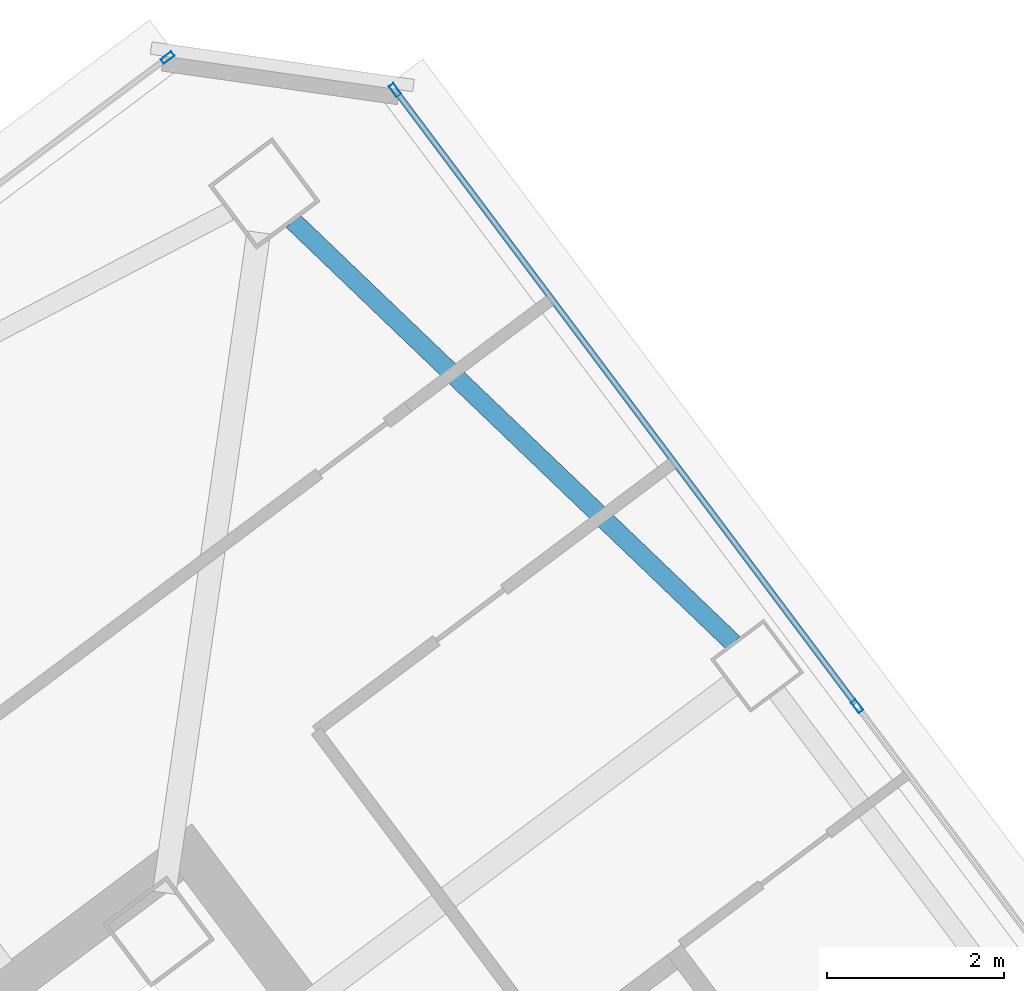
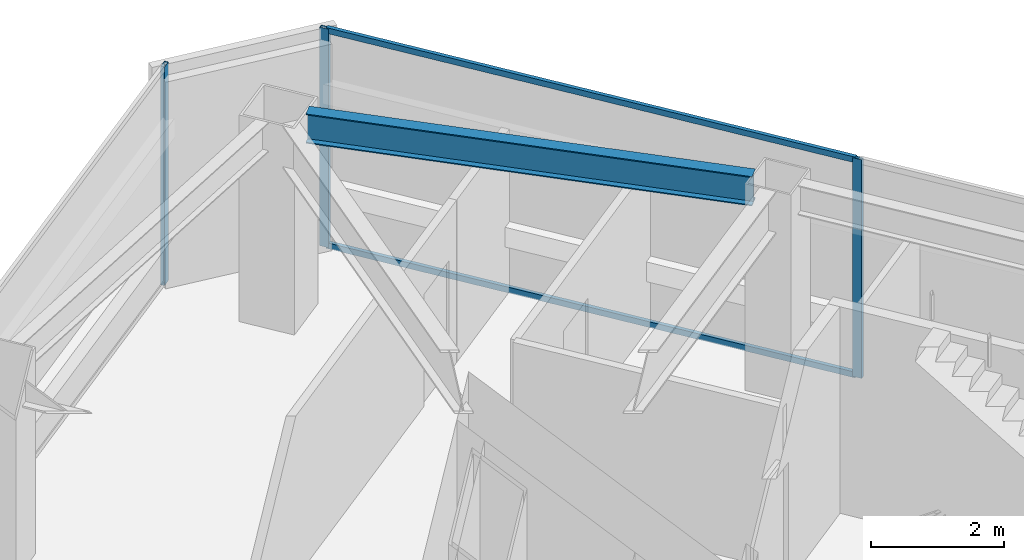
# One storey, part 39 of 53: 5 members, 1 beam, 2 elements without a shape of their own.
"""IFC4 building model written with IfcOpenShell, lengths in metres."""

import ifcopenshell
import ifcopenshell.guid

model = None  # the IFC model being written
_history = None  # IfcOwnerHistory: only IFC2X3 demands one
_inside = {}  # id of a spatial element -> (the spatial element, [elements in it])
_under = {}  # id of a project, library or spatial element -> (it, [spatial elements below it])
_declared = {}  # id of a project -> (the project, [libraries it declares])
_typed = {}  # id of a type object -> (the type object, [elements of that type])
_made_of = {}  # id of a material, layer set ... -> (it, [elements and type objects made of it])


def new_model(schema):
    """Start an empty IFC model of exactly this schema.

    Asked for "IFC4X3", IfcOpenShell would pick the latest addendum, in which some entities
    have other attributes; the version numbers below select the first issue.
    IFC2X3 requires an IfcOwnerHistory on every rooted entity: one is made here for all.
    """
    global model, _history
    if schema == "IFC4X3":
        model = ifcopenshell.file(schema_version=(4, 3, 0, 0))
    else:
        model = ifcopenshell.file(schema=schema)
    _inside.clear()
    _under.clear()
    _declared.clear()
    _typed.clear()
    _made_of.clear()
    _history = None
    if model.schema == "IFC2X3":
        org = make("IfcOrganization", Name="unknown")
        user = make(
            "IfcPersonAndOrganization",
            ThePerson=make("IfcPerson", FamilyName="unknown"),
            TheOrganization=org,
        )
        app = make(
            "IfcApplication",
            ApplicationDeveloper=org,
            Version="unknown",
            ApplicationFullName="unknown",
            ApplicationIdentifier="unknown",
        )
        _history = make(
            "IfcOwnerHistory",
            OwningUser=user,
            OwningApplication=app,
            ChangeAction="ADDED",
            CreationDate=0,
        )
    return model


def make(cls, **values):
    """One entity of the class cls with the attributes given. An attribute that is None is left unset."""
    return model.create_entity(
        cls, **{name: value for name, value in values.items() if value is not None}
    )


def rooted(cls, **values):
    """An entity with a GlobalId (a new one), such as an element, a storey or a relation."""
    return make(cls, GlobalId=ifcopenshell.guid.new(), OwnerHistory=_history, **values)


def si_unit(unit_type, name, prefix=None):
    """IfcSIUnit, for example si_unit("LENGTHUNIT", "METRE", prefix="MILLI")."""
    return make("IfcSIUnit", UnitType=unit_type, Prefix=prefix, Name=name)


def assignment(units):
    """IfcUnitAssignment: the units of a project."""
    return None if units is None else make("IfcUnitAssignment", Units=units)


def point(xyz):
    """IfcCartesianPoint."""
    return None if xyz is None else make("IfcCartesianPoint", Coordinates=xyz)


def direction(xyz):
    """IfcDirection."""
    return None if xyz is None else make("IfcDirection", DirectionRatios=xyz)


def frame(location, z_axis=None, x_axis=None):
    """IfcAxis2Placement3D, a coordinate frame: its origin and axes. An axis left out is left unset."""
    return make(
        "IfcAxis2Placement3D",
        Location=point(location),
        Axis=direction(z_axis),
        RefDirection=direction(x_axis),
    )


def frame_2d(location, x_axis=None):
    """IfcAxis2Placement2D, a coordinate frame in the plane: its origin and x axis."""
    return make(
        "IfcAxis2Placement2D", Location=point(location), RefDirection=direction(x_axis)
    )


def origin():
    """The frame at (0, 0, 0) with its axes left unset."""
    return frame((0.0, 0.0, 0.0))


def origin_2d():
    """The frame at (0, 0) in the plane with its x axis left unset."""
    return frame_2d((0.0, 0.0))


def place(relative_to, where):
    """IfcLocalPlacement: puts the frame where relative to a parent placement (None: the world)."""
    return make(
        "IfcLocalPlacement", PlacementRelTo=relative_to, RelativePlacement=where
    )


def context(
    kind, dimensions, precision=None, world=None, true_north=None, identifier=None
):
    """IfcGeometricRepresentationContext, for example the 3D "Model" context."""
    return make(
        "IfcGeometricRepresentationContext",
        ContextIdentifier=identifier,
        ContextType=kind,
        CoordinateSpaceDimension=dimensions,
        Precision=precision,
        WorldCoordinateSystem=world,
        TrueNorth=true_north,
    )


def subcontext(parent, identifier, kind, view, scale=None):
    """IfcGeometricRepresentationSubContext, for example "Body" below "Model"."""
    return make(
        "IfcGeometricRepresentationSubContext",
        ContextIdentifier=identifier,
        ContextType=kind,
        ParentContext=parent,
        TargetScale=scale,
        TargetView=view,
    )


def project(units=None, contexts=None):
    """IfcProject with its units and contexts."""
    return rooted(
        "IfcProject",
        Name="project",
        RepresentationContexts=contexts,
        UnitsInContext=assignment(units),
    )


def spatial(cls, under=None, at=None, **own):
    """A site, building, storey or space (cls), placed at a placement, below another one or the project."""
    s = rooted(cls, ObjectPlacement=at, **own)
    if under is not None:
        _under.setdefault(under.id(), (under, []))[1].append(s)
    return s


def profile(cls, at=None, kind="AREA", **sizes):
    """A parametric profile (cls). Its sizes go by their IFC names, for example OverallWidth=200.0."""
    return make(cls, ProfileType=kind, Position=at, **sizes)


def hollow_rectangle(**sizes):
    """IfcRectangleHollowProfileDef."""
    return profile("IfcRectangleHollowProfileDef", **sizes)


def i_section(**sizes):
    """IfcIShapeProfileDef."""
    return profile("IfcIShapeProfileDef", **sizes)


def extrude(swept, where, along, depth):
    """IfcExtrudedAreaSolid: the profile swept, set in the frame where, extruded along a direction by depth."""
    return make(
        "IfcExtrudedAreaSolid",
        SweptArea=swept,
        Position=where,
        ExtrudedDirection=direction(along),
        Depth=depth,
    )


def shape(context_of_items, identifier, shape_type, items):
    """IfcShapeRepresentation: the items that make up one representation, for example the "Body"."""
    return make(
        "IfcShapeRepresentation",
        ContextOfItems=context_of_items,
        RepresentationIdentifier=identifier,
        RepresentationType=shape_type,
        Items=items,
    )


def material(Name=None, Category=None):
    """IfcMaterial."""
    return make("IfcMaterial", Name=Name, Category=Category)


def material_profile(
    of_material, cross_section, Name=None, Category=None, Priority=None
):
    """IfcMaterialProfile: a cross section and its material."""
    return make(
        "IfcMaterialProfile",
        Name=Name,
        Material=of_material,
        Profile=cross_section,
        Priority=Priority,
        Category=Category,
    )


def profile_set(profiles, Name=None, composite=None):
    """IfcMaterialProfileSet."""
    return make(
        "IfcMaterialProfileSet",
        Name=Name,
        MaterialProfiles=profiles,
        CompositeProfile=composite,
    )


def made_of(thing, what):
    """Note that an element or type object is made of a material, layer set ...; save() writes the relation."""
    if what is not None:
        _made_of.setdefault(what.id(), (what, []))[1].append(thing)
    return thing


def type_object(cls, material=None, **own):
    """A type object (cls), such as IfcWallType, which elements share."""
    return made_of(rooted(cls, **own), material)


def element(
    cls,
    number,
    at=None,
    inside=None,
    cuts=None,
    type_object=None,
    material=None,
    context=None,
    identifier="Body",
    shape_type=None,
    held_by="IfcProductDefinitionShape",
    body=None,
    shapes=None,
    **own,
):
    """One element of the class cls, such as IfcWall. Its Tag is "e" and its number.

    at: its placement. inside: the storey or other place that contains it. cuts: it is an
    opening in that element (IfcRelVoidsElement). A single representation is given by context,
    identifier, shape_type and body (its items); several are given by shapes. held_by: the class
    of the entity that holds the representations. save() writes the other relations.
    """
    e = rooted(cls, Tag="e%d" % number, ObjectPlacement=at, **own)
    if body is not None:
        shapes = [shape(context, identifier, shape_type, body)]
    if shapes is not None:
        e.Representation = make(held_by, Representations=shapes)
    if inside is not None:
        _inside.setdefault(inside.id(), (inside, []))[1].append(e)
    if cuts is not None:
        rooted(
            "IfcRelVoidsElement", RelatingBuildingElement=cuts, RelatedOpeningElement=e
        )
    if type_object is not None:
        _typed.setdefault(type_object.id(), (type_object, []))[1].append(e)
    return made_of(e, material)


def aggregate(whole, parts):
    """IfcRelAggregates: a whole, such as a stair, and the parts it consists of."""
    return rooted("IfcRelAggregates", RelatingObject=whole, RelatedObjects=parts)


def save(model, path):
    """Write the relations noted so far, then the file.

    IfcRelAggregates (storeys below a building ...), IfcRelContainedInSpatialStructure (elements
    in a storey), IfcRelDefinesByType, IfcRelAssociatesMaterial and IfcRelDeclares: one each for
    every whole, place, type object, material and project.
    """
    for whole, parts in _under.values():
        aggregate(whole, parts)
    for where, things in _inside.values():
        rooted(
            "IfcRelContainedInSpatialStructure",
            RelatedElements=things,
            RelatingStructure=where,
        )
    for kind, things in _typed.values():
        rooted("IfcRelDefinesByType", RelatedObjects=things, RelatingType=kind)
    for what, things in _made_of.values():
        rooted("IfcRelAssociatesMaterial", RelatedObjects=things, RelatingMaterial=what)
    for by, libraries in _declared.values():
        rooted("IfcRelDeclares", RelatingContext=by, RelatedDefinitions=libraries)
    model.write(path)


model = new_model("IFC4")

# Units and contexts
model_context = context("Model", 3, precision=1e-05, world=origin(), true_north=direction((0.0, 1.0)))
body_context = subcontext(model_context, "Body", "Model", "MODEL_VIEW")
ifc_project = project(units=[si_unit("LENGTHUNIT", "METRE"), si_unit("AREAUNIT", "SQUARE_METRE"), si_unit("VOLUMEUNIT", "CUBIC_METRE"), si_unit("PLANEANGLEUNIT", "RADIAN"), si_unit("MASSUNIT", "GRAM", prefix="KILO")], contexts=[model_context])

# Site, building, storey
site_placement = place(None, origin())
site = spatial("IfcSite", under=ifc_project, at=site_placement, CompositionType="ELEMENT")
building_placement = place(site_placement, origin())
building = spatial("IfcBuilding", under=site, at=building_placement, Name="Tashvorn Skyway Center", CompositionType="ELEMENT")
storey_placement = place(building_placement, frame((0.0, 0.0, 255.39990234375)))
storey = spatial("IfcBuildingStorey", under=building, at=storey_placement, Name="L69", CompositionType="ELEMENT", Elevation=255.39990234375)

# Beam
ifc_material_1 = material(Name="Steel ASTM A992 Grade 50", Category="steel")
ifc_material_profile_1 = material_profile(ifc_material_1, i_section(OverallWidth=0.2109375, OverallDepth=0.5390625, WebThickness=0.01171875, FlangeThickness=0.018798828125, at=origin_2d()), Name="W21X73")
ifc_profile_set_1 = profile_set([ifc_material_profile_1], Name="Steel ASTM A992 Grade 50")
beam_type = type_object("IfcBeamType", Name="BM-SPANDREL-W21X73", PredefinedType="SPANDREL", material=ifc_profile_set_1)
beam_placement = place(storey_placement, frame((121.892822265625, 45.1259765625, 3.510498046875), z_axis=(-0.721873091786, 0.692025461493, 0.0), x_axis=(-0.692025461493, -0.721873091786, 0.0)))
element("IfcBeam", 1, at=beam_placement, inside=storey, type_object=beam_type, Name="Tower 2 L69 Spandrel Beam 06", PredefinedType="SPANDREL", context=body_context, shape_type="SweptSolid", body=[
    extrude(i_section(OverallWidth=0.2109375, OverallDepth=0.5390625, WebThickness=0.01171875, FlangeThickness=0.018798828125, at=origin_2d()), origin(), (0.0, 0.0, 1.0), 6.88720703125),
])

# Curtain wall, member
ifc_material_2 = material(Name="Thermally broken bronze-anodized aluminium 6063-T6", Category="aluminium")
curtain_wall_type = type_object("IfcCurtainWallType", Name="CW-CW-SKY", PredefinedType="NOTDEFINED", material=ifc_material_2)
curtain_wall_1_placement = place(storey_placement, origin())
curtain_wall_1 = element("IfcCurtainWall", 2, at=curtain_wall_1_placement, inside=storey, type_object=curtain_wall_type, Name="Tower 2 L69 North Curtain Wall B", PredefinedType="NOTDEFINED")
ifc_material_profile_2 = material_profile(ifc_material_2, hollow_rectangle(XDim=0.06494140625, YDim=0.14990234375, WallThickness=0.00390625, at=origin_2d()), Name="ALU-MULL-65x150")
ifc_profile_set_2 = profile_set([ifc_material_profile_2], Name="Thermally broken bronze-anodized aluminium 6063-T6")
member_type_1 = type_object("IfcMemberType", Name="CWM-CW-SKY", PredefinedType="MULLION", material=ifc_profile_set_2)
member_1_placement = place(storey_placement, frame((115.510009765625, 51.732421875, 0.0), z_axis=(0.0, 0.0, 1.0), x_axis=(-0.600000000002, 0.799999999998, 0.0)))
member_1 = element("IfcMember", 3, at=member_1_placement, type_object=member_type_1, Name="CW-SKY mullion 3", PredefinedType="MULLION", context=body_context, shape_type="SweptSolid", body=[
    extrude(hollow_rectangle(XDim=0.06494140625, YDim=0.14990234375, WallThickness=0.00390625, at=origin_2d()), origin(), (0.0, 0.0, 1.0), 4.0),
])
aggregate(curtain_wall_1, [member_1])

# Curtain wall, members
curtain_wall_2_placement = place(storey_placement, origin())
curtain_wall_2 = element("IfcCurtainWall", 4, at=curtain_wall_2_placement, inside=storey, type_object=curtain_wall_type, Name="Tower 2 L69 East Unitised Curtain Wall", PredefinedType="NOTDEFINED")
member_2_placement = place(storey_placement, frame((118.075439453125, 51.365966796875, 0.0), z_axis=(0.0, 0.0, 1.0), x_axis=(0.799999999998, 0.600000000002, 0.0)))
member_2 = element("IfcMember", 5, at=member_2_placement, type_object=member_type_1, Name="CW-SKY mullion 1", PredefinedType="MULLION", context=body_context, shape_type="SweptSolid", body=[
    extrude(hollow_rectangle(XDim=0.06494140625, YDim=0.14990234375, WallThickness=0.00390625, at=origin_2d()), origin(), (0.0, 0.0, 1.0), 4.0),
])
member_3_placement = place(storey_placement, frame((123.2880859375, 44.416015625, 0.0), z_axis=(0.0, 0.0, 1.0), x_axis=(0.799999999998, 0.600000000002, 0.0)))
member_3 = element("IfcMember", 6, at=member_3_placement, type_object=member_type_1, Name="CW-SKY mullion 2", PredefinedType="MULLION", context=body_context, shape_type="SweptSolid", body=[
    extrude(hollow_rectangle(XDim=0.06494140625, YDim=0.14990234375, WallThickness=0.00390625, at=origin_2d()), origin(), (0.0, 0.0, 1.0), 4.0),
])
ifc_material_profile_3 = material_profile(ifc_material_2, hollow_rectangle(XDim=0.06494140625, YDim=0.10498046875, WallThickness=0.00390625, at=origin_2d()), Name="ALU-TRAN-65x105")
ifc_profile_set_3 = profile_set([ifc_material_profile_3], Name="Thermally broken bronze-anodized aluminium 6063-T6")
member_type_2 = type_object("IfcMemberType", Name="CWT-CW-SKY", PredefinedType="USERDEFINED", material=ifc_profile_set_3)
member_4_placement = place(storey_placement, frame((118.094970703125, 51.340087890625, 0.03271484375), z_axis=(0.599995469799, -0.80000339763, 0.0), x_axis=(0.80000339763, 0.599995469799, 0.0)))
member_4 = element("IfcMember", 7, at=member_4_placement, type_object=member_type_2, Name="CW-SKY transom 1.1", ObjectType="TRANSOM", PredefinedType="USERDEFINED", context=body_context, shape_type="SweptSolid", body=[
    extrude(hollow_rectangle(XDim=0.06494140625, YDim=0.10498046875, WallThickness=0.00390625, at=origin_2d()), origin(), (0.0, 0.0, 1.0), 8.622802734375),
])
member_5_placement = place(storey_placement, frame((118.094970703125, 51.340087890625, 3.967529296875), z_axis=(0.599995469799, -0.80000339763, 0.0), x_axis=(0.80000339763, 0.599995469799, 0.0)))
member_5 = element("IfcMember", 8, at=member_5_placement, type_object=member_type_2, Name="CW-SKY transom 1.2", ObjectType="TRANSOM", PredefinedType="USERDEFINED", context=body_context, shape_type="SweptSolid", body=[
    extrude(hollow_rectangle(XDim=0.06494140625, YDim=0.10498046875, WallThickness=0.00390625, at=origin_2d()), origin(), (0.0, 0.0, 1.0), 8.622802734375),
])
aggregate(curtain_wall_2, [member_2, member_3, member_4, member_5])

save(model, "model.ifc")
